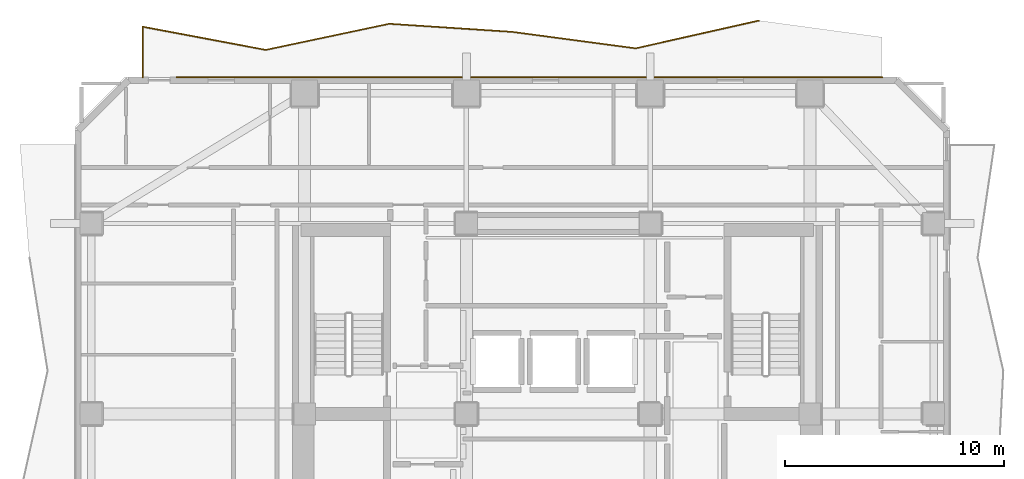
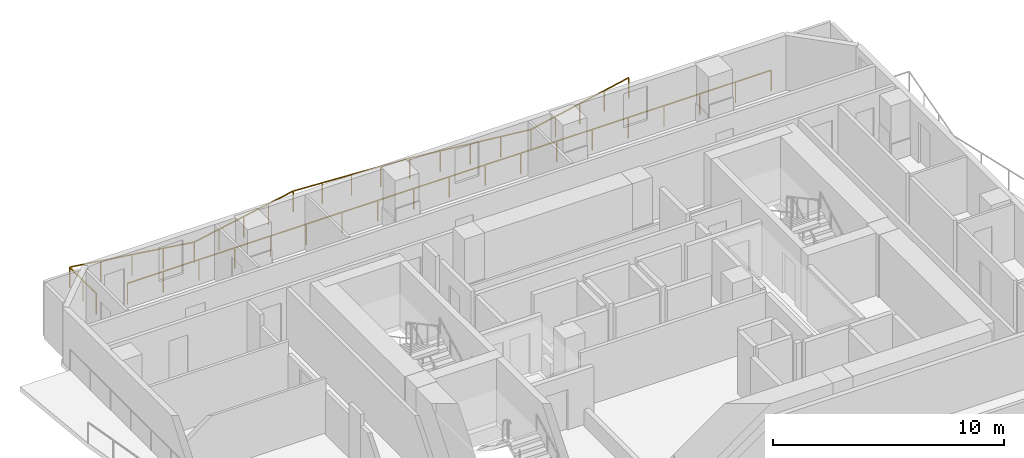
# One storey, part 10 of 10: 2 railings.
"""IFC4 building model written with IfcOpenShell, lengths in metres."""

import ifcopenshell
import ifcopenshell.guid

model = None  # the IFC model being written
_history = None  # IfcOwnerHistory: only IFC2X3 demands one
_inside = {}  # id of a spatial element -> (the spatial element, [elements in it])
_under = {}  # id of a project, library or spatial element -> (it, [spatial elements below it])
_declared = {}  # id of a project -> (the project, [libraries it declares])
_typed = {}  # id of a type object -> (the type object, [elements of that type])
_made_of = {}  # id of a material, layer set ... -> (it, [elements and type objects made of it])


def new_model(schema):
    """Start an empty IFC model of exactly this schema.

    Asked for "IFC4X3", IfcOpenShell would pick the latest addendum, in which some entities
    have other attributes; the version numbers below select the first issue.
    IFC2X3 requires an IfcOwnerHistory on every rooted entity: one is made here for all.
    """
    global model, _history
    if schema == "IFC4X3":
        model = ifcopenshell.file(schema_version=(4, 3, 0, 0))
    else:
        model = ifcopenshell.file(schema=schema)
    _inside.clear()
    _under.clear()
    _declared.clear()
    _typed.clear()
    _made_of.clear()
    _history = None
    if model.schema == "IFC2X3":
        org = make("IfcOrganization", Name="unknown")
        user = make(
            "IfcPersonAndOrganization",
            ThePerson=make("IfcPerson", FamilyName="unknown"),
            TheOrganization=org,
        )
        app = make(
            "IfcApplication",
            ApplicationDeveloper=org,
            Version="unknown",
            ApplicationFullName="unknown",
            ApplicationIdentifier="unknown",
        )
        _history = make(
            "IfcOwnerHistory",
            OwningUser=user,
            OwningApplication=app,
            ChangeAction="ADDED",
            CreationDate=0,
        )
    return model


def make(cls, **values):
    """One entity of the class cls with the attributes given. An attribute that is None is left unset."""
    return model.create_entity(
        cls, **{name: value for name, value in values.items() if value is not None}
    )


def rooted(cls, **values):
    """An entity with a GlobalId (a new one), such as an element, a storey or a relation."""
    return make(cls, GlobalId=ifcopenshell.guid.new(), OwnerHistory=_history, **values)


def si_unit(unit_type, name, prefix=None):
    """IfcSIUnit, for example si_unit("LENGTHUNIT", "METRE", prefix="MILLI")."""
    return make("IfcSIUnit", UnitType=unit_type, Prefix=prefix, Name=name)


def assignment(units):
    """IfcUnitAssignment: the units of a project."""
    return None if units is None else make("IfcUnitAssignment", Units=units)


def point(xyz):
    """IfcCartesianPoint."""
    return None if xyz is None else make("IfcCartesianPoint", Coordinates=xyz)


def direction(xyz):
    """IfcDirection."""
    return None if xyz is None else make("IfcDirection", DirectionRatios=xyz)


def frame(location, z_axis=None, x_axis=None):
    """IfcAxis2Placement3D, a coordinate frame: its origin and axes. An axis left out is left unset."""
    return make(
        "IfcAxis2Placement3D",
        Location=point(location),
        Axis=direction(z_axis),
        RefDirection=direction(x_axis),
    )


def frame_2d(location, x_axis=None):
    """IfcAxis2Placement2D, a coordinate frame in the plane: its origin and x axis."""
    return make(
        "IfcAxis2Placement2D", Location=point(location), RefDirection=direction(x_axis)
    )


def origin():
    """The frame at (0, 0, 0) with its axes left unset."""
    return frame((0.0, 0.0, 0.0))


def origin_2d():
    """The frame at (0, 0) in the plane with its x axis left unset."""
    return frame_2d((0.0, 0.0))


def place(relative_to, where):
    """IfcLocalPlacement: puts the frame where relative to a parent placement (None: the world)."""
    return make(
        "IfcLocalPlacement", PlacementRelTo=relative_to, RelativePlacement=where
    )


def context(
    kind, dimensions, precision=None, world=None, true_north=None, identifier=None
):
    """IfcGeometricRepresentationContext, for example the 3D "Model" context."""
    return make(
        "IfcGeometricRepresentationContext",
        ContextIdentifier=identifier,
        ContextType=kind,
        CoordinateSpaceDimension=dimensions,
        Precision=precision,
        WorldCoordinateSystem=world,
        TrueNorth=true_north,
    )


def subcontext(parent, identifier, kind, view, scale=None):
    """IfcGeometricRepresentationSubContext, for example "Body" below "Model"."""
    return make(
        "IfcGeometricRepresentationSubContext",
        ContextIdentifier=identifier,
        ContextType=kind,
        ParentContext=parent,
        TargetScale=scale,
        TargetView=view,
    )


def project(units=None, contexts=None):
    """IfcProject with its units and contexts."""
    return rooted(
        "IfcProject",
        Name="project",
        RepresentationContexts=contexts,
        UnitsInContext=assignment(units),
    )


def spatial(cls, under=None, at=None, **own):
    """A site, building, storey or space (cls), placed at a placement, below another one or the project."""
    s = rooted(cls, ObjectPlacement=at, **own)
    if under is not None:
        _under.setdefault(under.id(), (under, []))[1].append(s)
    return s


def profile(cls, at=None, kind="AREA", **sizes):
    """A parametric profile (cls). Its sizes go by their IFC names, for example OverallWidth=200.0."""
    return make(cls, ProfileType=kind, Position=at, **sizes)


def rectangle(**sizes):
    """IfcRectangleProfileDef."""
    return profile("IfcRectangleProfileDef", **sizes)


def extrude(swept, where, along, depth):
    """IfcExtrudedAreaSolid: the profile swept, set in the frame where, extruded along a direction by depth."""
    return make(
        "IfcExtrudedAreaSolid",
        SweptArea=swept,
        Position=where,
        ExtrudedDirection=direction(along),
        Depth=depth,
    )


def shape(context_of_items, identifier, shape_type, items):
    """IfcShapeRepresentation: the items that make up one representation, for example the "Body"."""
    return make(
        "IfcShapeRepresentation",
        ContextOfItems=context_of_items,
        RepresentationIdentifier=identifier,
        RepresentationType=shape_type,
        Items=items,
    )


def material(Name=None, Category=None):
    """IfcMaterial."""
    return make("IfcMaterial", Name=Name, Category=Category)


def made_of(thing, what):
    """Note that an element or type object is made of a material, layer set ...; save() writes the relation."""
    if what is not None:
        _made_of.setdefault(what.id(), (what, []))[1].append(thing)
    return thing


def type_object(cls, material=None, **own):
    """A type object (cls), such as IfcWallType, which elements share."""
    return made_of(rooted(cls, **own), material)


def element(
    cls,
    number,
    at=None,
    inside=None,
    cuts=None,
    type_object=None,
    material=None,
    context=None,
    identifier="Body",
    shape_type=None,
    held_by="IfcProductDefinitionShape",
    body=None,
    shapes=None,
    **own,
):
    """One element of the class cls, such as IfcWall. Its Tag is "e" and its number.

    at: its placement. inside: the storey or other place that contains it. cuts: it is an
    opening in that element (IfcRelVoidsElement). A single representation is given by context,
    identifier, shape_type and body (its items); several are given by shapes. held_by: the class
    of the entity that holds the representations. save() writes the other relations.
    """
    e = rooted(cls, Tag="e%d" % number, ObjectPlacement=at, **own)
    if body is not None:
        shapes = [shape(context, identifier, shape_type, body)]
    if shapes is not None:
        e.Representation = make(held_by, Representations=shapes)
    if inside is not None:
        _inside.setdefault(inside.id(), (inside, []))[1].append(e)
    if cuts is not None:
        rooted(
            "IfcRelVoidsElement", RelatingBuildingElement=cuts, RelatedOpeningElement=e
        )
    if type_object is not None:
        _typed.setdefault(type_object.id(), (type_object, []))[1].append(e)
    return made_of(e, material)


def aggregate(whole, parts):
    """IfcRelAggregates: a whole, such as a stair, and the parts it consists of."""
    return rooted("IfcRelAggregates", RelatingObject=whole, RelatedObjects=parts)


def save(model, path):
    """Write the relations noted so far, then the file.

    IfcRelAggregates (storeys below a building ...), IfcRelContainedInSpatialStructure (elements
    in a storey), IfcRelDefinesByType, IfcRelAssociatesMaterial and IfcRelDeclares: one each for
    every whole, place, type object, material and project.
    """
    for whole, parts in _under.values():
        aggregate(whole, parts)
    for where, things in _inside.values():
        rooted(
            "IfcRelContainedInSpatialStructure",
            RelatedElements=things,
            RelatingStructure=where,
        )
    for kind, things in _typed.values():
        rooted("IfcRelDefinesByType", RelatedObjects=things, RelatingType=kind)
    for what, things in _made_of.values():
        rooted("IfcRelAssociatesMaterial", RelatedObjects=things, RelatingMaterial=what)
    for by, libraries in _declared.values():
        rooted("IfcRelDeclares", RelatingContext=by, RelatedDefinitions=libraries)
    model.write(path)


model = new_model("IFC4")

# Units and contexts
model_context = context("Model", 3, precision=1e-05, world=origin(), true_north=direction((0.0, 1.0)))
body_context = subcontext(model_context, "Body", "Model", "MODEL_VIEW")
ifc_project = project(units=[si_unit("LENGTHUNIT", "METRE"), si_unit("AREAUNIT", "SQUARE_METRE"), si_unit("VOLUMEUNIT", "CUBIC_METRE"), si_unit("PLANEANGLEUNIT", "RADIAN"), si_unit("MASSUNIT", "GRAM", prefix="KILO")], contexts=[model_context])

# Site, building, storey
site_placement = place(None, origin())
site = spatial("IfcSite", under=ifc_project, at=site_placement, CompositionType="ELEMENT")
building_placement = place(site_placement, origin())
building = spatial("IfcBuilding", under=site, at=building_placement, Name="Solanera Arch Residences", CompositionType="ELEMENT")
storey_placement = place(building_placement, frame((0.0, 0.0, 122.679931640625)))
storey = spatial("IfcBuildingStorey", under=building, at=storey_placement, Name="L35", CompositionType="ELEMENT", Elevation=122.679931640625)

# Railings
ifc_material = material(Name="Steel S355 (ASTM A992 / A572 Grade 50)", Category="steel")
railing_type = type_object("IfcRailingType", Name="Balustrade Railing BL-1100", PredefinedType="BALUSTRADE", material=ifc_material)
railing_1_placement = place(storey_placement, frame((34.1669921875, 48.677001953125, 0.0)))
element("IfcRailing", 1, at=railing_1_placement, inside=storey, type_object=railing_type, Name="L35 N Balcony Balustrade 1", PredefinedType="BALUSTRADE", context=body_context, shape_type="SweptSolid", body=[
    extrude(rectangle(XDim=0.048095703125, YDim=0.048095703125, at=origin_2d()), frame((0.0, 0.0, 1.09619140625), z_axis=(-0.975522090654, -0.21990145667, 0.0), x_axis=(0.21990145667, -0.975522090654, 0.0)), (0.0, 0.0, 1.0), 5.775390625),
    extrude(rectangle(XDim=0.048095703125, YDim=0.048095703125, at=origin_2d()), frame((-5.634033203125, -1.27001953125, 1.09619140625), z_axis=(-0.991185077712, 0.13248449615, 0.0), x_axis=(-0.13248449615, -0.991185077712, 0.0)), (0.0, 0.0, 1.0), 5.68310546875),
    extrude(rectangle(XDim=0.048095703125, YDim=0.048095703125, at=origin_2d()), frame((-11.26708984375, -0.51708984375, 1.09619140625), z_axis=(-0.997859540709, 0.065393707765, 0.0), x_axis=(-0.065393707765, -0.997859540709, 0.0)), (0.0, 0.0, 1.0), 5.644775390625),
    extrude(rectangle(XDim=0.048095703125, YDim=0.048095703125, at=origin_2d()), frame((-16.89990234375, -0.14794921875, 1.09619140625), z_axis=(-0.978269573687, -0.207337023222, 0.0), x_axis=(0.207337023222, -0.978269573687, 0.0)), (0.0, 0.0, 1.0), 5.75927734375),
    extrude(rectangle(XDim=0.048095703125, YDim=0.048095703125, at=origin_2d()), frame((-22.533935546875, -1.342041015625, 1.09619140625), z_axis=(-0.982749978596, 0.184939123957, 0.0), x_axis=(-0.184939123957, -0.982749978596, 0.0)), (0.0, 0.0, 1.0), 5.73193359375),
    extrude(rectangle(XDim=0.048095703125, YDim=0.048095703125, at=origin_2d()), frame((-28.1669921875, -0.281982421875, 1.09619140625), z_axis=(0.0, -1.0, 0.0), x_axis=(1.0, 0.0, 0.0)), (0.0, 0.0, 1.0), 2.31494140625),
    extrude(rectangle(XDim=0.0419921875, YDim=0.0419921875, at=origin_2d()), origin(), (0.0, 0.0, 1.0), 1.072021484375),
    extrude(rectangle(XDim=0.0419921875, YDim=0.0419921875, at=origin_2d()), frame((-1.408447265625, -0.3173828125, 0.0)), (0.0, 0.0, 1.0), 1.072021484375),
    extrude(rectangle(XDim=0.0419921875, YDim=0.0419921875, at=origin_2d()), frame((-2.81689453125, -0.635009765625, 0.0)), (0.0, 0.0, 1.0), 1.072021484375),
    extrude(rectangle(XDim=0.0419921875, YDim=0.0419921875, at=origin_2d()), frame((-4.2255859375, -0.95263671875, 0.0)), (0.0, 0.0, 1.0), 1.072021484375),
    extrude(rectangle(XDim=0.0419921875, YDim=0.0419921875, at=origin_2d()), frame((-5.634033203125, -1.27001953125, 0.0)), (0.0, 0.0, 1.0), 1.072021484375),
    extrude(rectangle(XDim=0.0419921875, YDim=0.0419921875, at=origin_2d()), frame((-7.042236328125, -1.081787109375, 0.0)), (0.0, 0.0, 1.0), 1.072021484375),
    extrude(rectangle(XDim=0.0419921875, YDim=0.0419921875, at=origin_2d()), frame((-8.45068359375, -0.8935546875, 0.0)), (0.0, 0.0, 1.0), 1.072021484375),
    extrude(rectangle(XDim=0.0419921875, YDim=0.0419921875, at=origin_2d()), frame((-9.85888671875, -0.705322265625, 0.0)), (0.0, 0.0, 1.0), 1.072021484375),
    extrude(rectangle(XDim=0.0419921875, YDim=0.0419921875, at=origin_2d()), frame((-11.26708984375, -0.51708984375, 0.0)), (0.0, 0.0, 1.0), 1.072021484375),
    extrude(rectangle(XDim=0.0419921875, YDim=0.0419921875, at=origin_2d()), frame((-12.67529296875, -0.4248046875, 0.0)), (0.0, 0.0, 1.0), 1.072021484375),
    extrude(rectangle(XDim=0.0419921875, YDim=0.0419921875, at=origin_2d()), frame((-14.08349609375, -0.33251953125, 0.0)), (0.0, 0.0, 1.0), 1.072021484375),
    extrude(rectangle(XDim=0.0419921875, YDim=0.0419921875, at=origin_2d()), frame((-15.49169921875, -0.240234375, 0.0)), (0.0, 0.0, 1.0), 1.072021484375),
    extrude(rectangle(XDim=0.0419921875, YDim=0.0419921875, at=origin_2d()), frame((-16.89990234375, -0.14794921875, 0.0)), (0.0, 0.0, 1.0), 1.072021484375),
    extrude(rectangle(XDim=0.0419921875, YDim=0.0419921875, at=origin_2d()), frame((-18.308349609375, -0.446533203125, 0.0)), (0.0, 0.0, 1.0), 1.072021484375),
    extrude(rectangle(XDim=0.0419921875, YDim=0.0419921875, at=origin_2d()), frame((-19.716796875, -0.7451171875, 0.0)), (0.0, 0.0, 1.0), 1.072021484375),
    extrude(rectangle(XDim=0.0419921875, YDim=0.0419921875, at=origin_2d()), frame((-21.12548828125, -1.04345703125, 0.0)), (0.0, 0.0, 1.0), 1.072021484375),
    extrude(rectangle(XDim=0.0419921875, YDim=0.0419921875, at=origin_2d()), frame((-22.533935546875, -1.342041015625, 0.0)), (0.0, 0.0, 1.0), 1.072021484375),
    extrude(rectangle(XDim=0.0419921875, YDim=0.0419921875, at=origin_2d()), frame((-23.942138671875, -1.0771484375, 0.0)), (0.0, 0.0, 1.0), 1.072021484375),
    extrude(rectangle(XDim=0.0419921875, YDim=0.0419921875, at=origin_2d()), frame((-25.3505859375, -0.81201171875, 0.0)), (0.0, 0.0, 1.0), 1.072021484375),
    extrude(rectangle(XDim=0.0419921875, YDim=0.0419921875, at=origin_2d()), frame((-26.7587890625, -0.546875, 0.0)), (0.0, 0.0, 1.0), 1.072021484375),
    extrude(rectangle(XDim=0.0419921875, YDim=0.0419921875, at=origin_2d()), frame((-28.1669921875, -0.281982421875, 0.0)), (0.0, 0.0, 1.0), 1.072021484375),
    extrude(rectangle(XDim=0.0419921875, YDim=0.0419921875, at=origin_2d()), frame((-28.1669921875, -1.439453125, 0.0)), (0.0, 0.0, 1.0), 1.072021484375),
    extrude(rectangle(XDim=0.0419921875, YDim=0.0419921875, at=origin_2d()), frame((-28.1669921875, -2.596923828125, 0.0)), (0.0, 0.0, 1.0), 1.072021484375),
])
railing_2_placement = place(storey_placement, frame((7.55908203125, 46.080078125, 0.0)))
element("IfcRailing", 2, at=railing_2_placement, inside=storey, type_object=railing_type, Name="L35 N Balcony Balustrade 2", PredefinedType="BALUSTRADE", context=body_context, shape_type="SweptSolid", body=[
    extrude(rectangle(XDim=0.048095703125, YDim=0.048095703125, at=origin_2d()), frame((0.0, 0.0, 1.09619140625), z_axis=(1.0, 0.0, 0.0), x_axis=(0.0, 1.0, 0.0)), (0.0, 0.0, 1.0), 32.240966796875),
    extrude(rectangle(XDim=0.0419921875, YDim=0.0419921875, at=origin_2d()), origin(), (0.0, 0.0, 1.0), 1.072021484375),
    extrude(rectangle(XDim=0.0419921875, YDim=0.0419921875, at=origin_2d()), frame((1.791259765625, 0.0, 0.0)), (0.0, 0.0, 1.0), 1.072021484375),
    extrude(rectangle(XDim=0.0419921875, YDim=0.0419921875, at=origin_2d()), frame((3.582275390625, 0.0, 0.0)), (0.0, 0.0, 1.0), 1.072021484375),
    extrude(rectangle(XDim=0.0419921875, YDim=0.0419921875, at=origin_2d()), frame((5.37353515625, 0.0, 0.0)), (0.0, 0.0, 1.0), 1.072021484375),
    extrude(rectangle(XDim=0.0419921875, YDim=0.0419921875, at=origin_2d()), frame((7.16455078125, 0.0, 0.0)), (0.0, 0.0, 1.0), 1.072021484375),
    extrude(rectangle(XDim=0.0419921875, YDim=0.0419921875, at=origin_2d()), frame((8.955810546875, 0.0, 0.0)), (0.0, 0.0, 1.0), 1.072021484375),
    extrude(rectangle(XDim=0.0419921875, YDim=0.0419921875, at=origin_2d()), frame((10.7470703125, 0.0, 0.0)), (0.0, 0.0, 1.0), 1.072021484375),
    extrude(rectangle(XDim=0.0419921875, YDim=0.0419921875, at=origin_2d()), frame((12.5380859375, 0.0, 0.0)), (0.0, 0.0, 1.0), 1.072021484375),
    extrude(rectangle(XDim=0.0419921875, YDim=0.0419921875, at=origin_2d()), frame((14.329345703125, 0.0, 0.0)), (0.0, 0.0, 1.0), 1.072021484375),
    extrude(rectangle(XDim=0.0419921875, YDim=0.0419921875, at=origin_2d()), frame((16.12060546875, 0.0, 0.0)), (0.0, 0.0, 1.0), 1.072021484375),
    extrude(rectangle(XDim=0.0419921875, YDim=0.0419921875, at=origin_2d()), frame((17.91162109375, 0.0, 0.0)), (0.0, 0.0, 1.0), 1.072021484375),
    extrude(rectangle(XDim=0.0419921875, YDim=0.0419921875, at=origin_2d()), frame((19.702880859375, 0.0, 0.0)), (0.0, 0.0, 1.0), 1.072021484375),
    extrude(rectangle(XDim=0.0419921875, YDim=0.0419921875, at=origin_2d()), frame((21.493896484375, 0.0, 0.0)), (0.0, 0.0, 1.0), 1.072021484375),
    extrude(rectangle(XDim=0.0419921875, YDim=0.0419921875, at=origin_2d()), frame((23.28515625, 0.0, 0.0)), (0.0, 0.0, 1.0), 1.072021484375),
    extrude(rectangle(XDim=0.0419921875, YDim=0.0419921875, at=origin_2d()), frame((25.076416015625, 0.0, 0.0)), (0.0, 0.0, 1.0), 1.072021484375),
    extrude(rectangle(XDim=0.0419921875, YDim=0.0419921875, at=origin_2d()), frame((26.867431640625, 0.0, 0.0)), (0.0, 0.0, 1.0), 1.072021484375),
    extrude(rectangle(XDim=0.0419921875, YDim=0.0419921875, at=origin_2d()), frame((28.65869140625, 0.0, 0.0)), (0.0, 0.0, 1.0), 1.072021484375),
    extrude(rectangle(XDim=0.0419921875, YDim=0.0419921875, at=origin_2d()), frame((30.44970703125, 0.0, 0.0)), (0.0, 0.0, 1.0), 1.072021484375),
    extrude(rectangle(XDim=0.0419921875, YDim=0.0419921875, at=origin_2d()), frame((32.240966796875, 0.0, 0.0)), (0.0, 0.0, 1.0), 1.072021484375),
])

save(model, "model.ifc")
